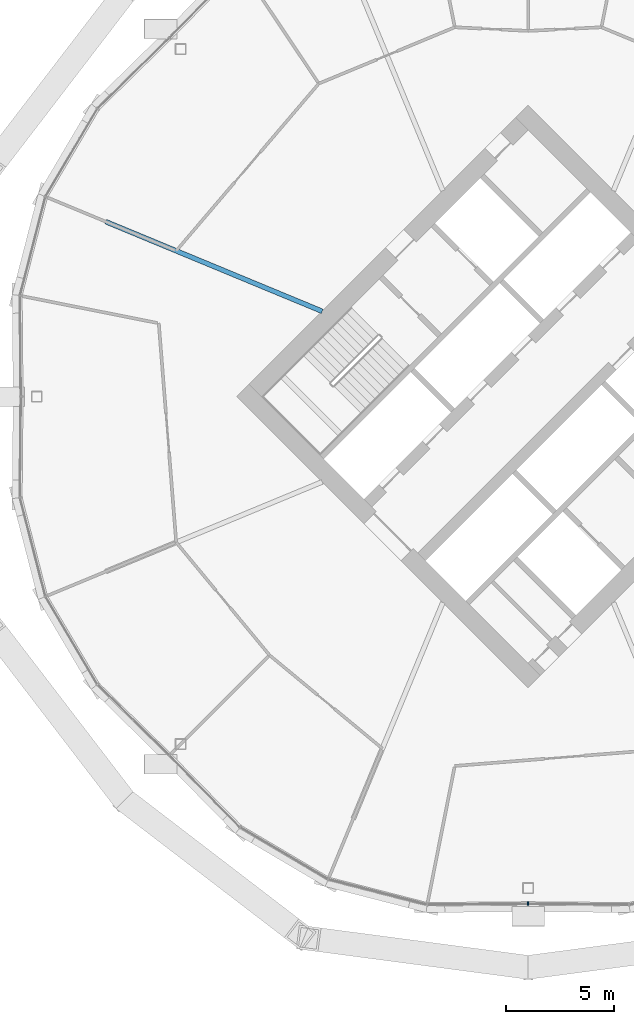
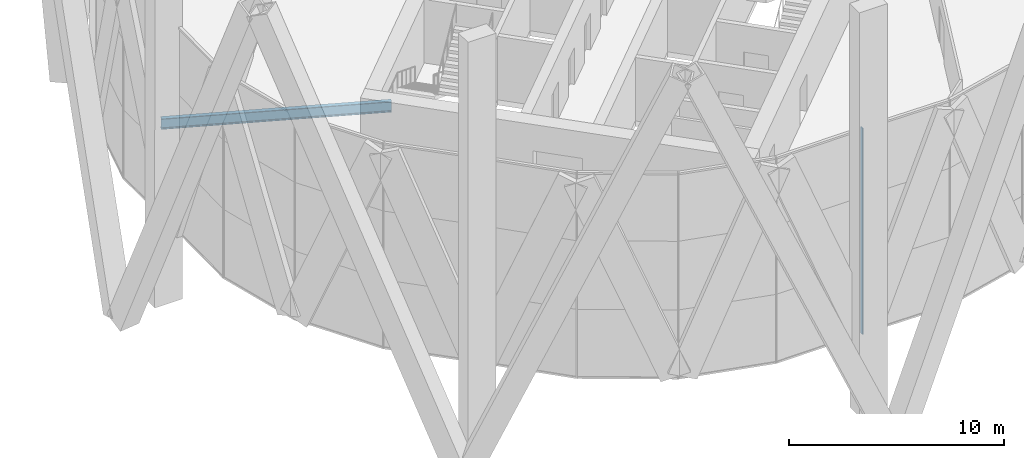
# One storey, part 10 of 26: 1 beam, 1 member, 1 element without a shape of its own.
"""IFC4 building model written with IfcOpenShell, lengths in metres."""

from ifc_helpers import new_model, si_unit, direction, frame, origin, origin_2d, place, context, subcontext, project, spatial, rectangle, i_section, extrude, material, material_profile, profile_set, type_object, element, aggregate, save


model = new_model("IFC4")

# Units and contexts
model_context = context("Model", 3, precision=1e-05, world=origin(), true_north=direction((0.0, 1.0)))
body_context = subcontext(model_context, "Body", "Model", "MODEL_VIEW")
ifc_project = project(units=[si_unit("LENGTHUNIT", "METRE"), si_unit("AREAUNIT", "SQUARE_METRE"), si_unit("VOLUMEUNIT", "CUBIC_METRE"), si_unit("PLANEANGLEUNIT", "RADIAN"), si_unit("MASSUNIT", "GRAM", prefix="KILO")], contexts=[model_context])

# Site, building, storey
site_placement = place(None, origin())
site = spatial("IfcSite", under=ifc_project, at=site_placement, CompositionType="ELEMENT")
building_placement = place(site_placement, origin())
building = spatial("IfcBuilding", under=site, at=building_placement, Name="Ogive Gate Towers", CompositionType="ELEMENT")
storey_placement = place(building_placement, frame((0.0, 0.0, 76.199951171875)))
storey = spatial("IfcBuildingStorey", under=building, at=storey_placement, Name="L17", CompositionType="ELEMENT", Elevation=76.199951171875)

# Beam
ifc_material_1 = material(Name="Steel SM355", Category="steel")
ifc_material_profile_1 = material_profile(ifc_material_1, i_section(OverallWidth=0.219970703125, OverallDepth=0.60009765625, WebThickness=0.011962890625, FlangeThickness=0.01904296875, FilletRadius=0.02392578125, at=origin_2d()), Name="IPE 600")
ifc_profile_set_1 = profile_set([ifc_material_profile_1], Name="Steel SM355")
beam_type = type_object("IfcBeamType", Name="Radial floor beam IPE 600", PredefinedType="BEAM", material=ifc_profile_set_1)
beam_placement = place(storey_placement, frame((26.5, 3.93505859375, -0.599853515625), z_axis=(-0.923882772696, 0.382675609774, 0.0), x_axis=(-0.382675609774, -0.923882772696, 0.0)))
element("IfcBeam", 1, at=beam_placement, inside=storey, type_object=beam_type, Name="T2/L17/SBM007", PredefinedType="BEAM", context=body_context, shape_type="SweptSolid", body=[
    extrude(i_section(OverallWidth=0.219970703125, OverallDepth=0.60009765625, WebThickness=0.011962890625, FlangeThickness=0.01904296875, FilletRadius=0.02392578125, at=origin_2d()), origin(), (0.0, 0.0, 1.0), 10.809326171875),
])

# Curtain wall, member
ifc_material_2 = material(Name="Pale metal aluminium", Category="aluminium")
curtain_wall_type = type_object("IfcCurtainWallType", Name="Tower unitised wall, low zone", PredefinedType="NOTDEFINED", material=ifc_material_2)
curtain_wall_placement = place(storey_placement, origin())
curtain_wall = element("IfcCurtainWall", 2, at=curtain_wall_placement, inside=storey, type_object=curtain_wall_type, Name="CW1 T2 ECW06", PredefinedType="NOTDEFINED")
ifc_material_profile_2 = material_profile(ifc_material_2, rectangle(XDim=0.159912109375, YDim=0.06005859375, at=origin_2d()), Name="60 x 160 aluminium box")
ifc_profile_set_2 = profile_set([ifc_material_profile_2], Name="Pale metal aluminium")
member_type = type_object("IfcMemberType", Name="Tower unitised wall, low zone mullion 60 x 160", PredefinedType="MULLION", material=ifc_profile_set_2)
member_placement = place(storey_placement, frame((35.999755859375, -23.3798828125, -0.300048828125), z_axis=(0.0, 0.0, 1.0), x_axis=(0.009197755467, -0.999957699753, 0.0)))
member = element("IfcMember", 3, at=member_placement, type_object=member_type, Name="CW1 mullion", PredefinedType="MULLION", context=body_context, shape_type="SweptSolid", body=[
    extrude(rectangle(XDim=0.159912109375, YDim=0.06005859375, at=origin_2d()), origin(), (0.0, 0.0, 1.0), 11.7001953125),
])
aggregate(curtain_wall, [member])

save(model, "model.ifc")
